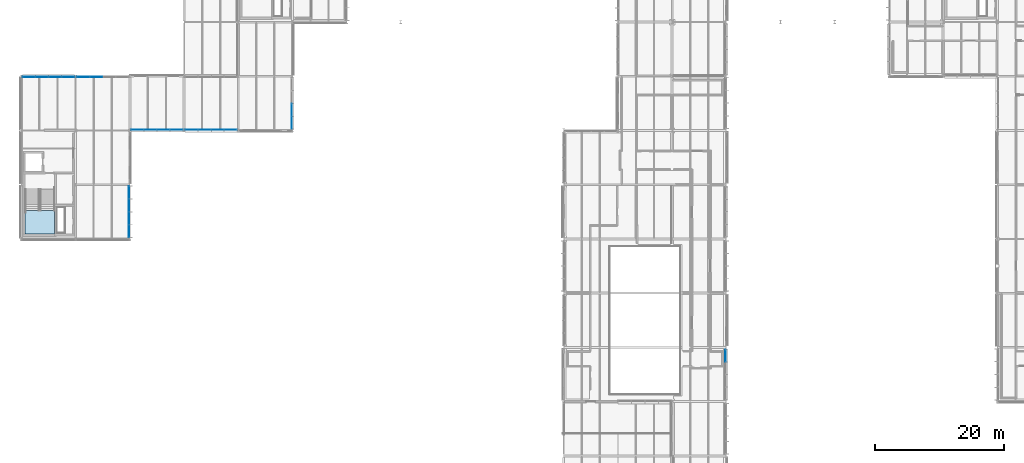
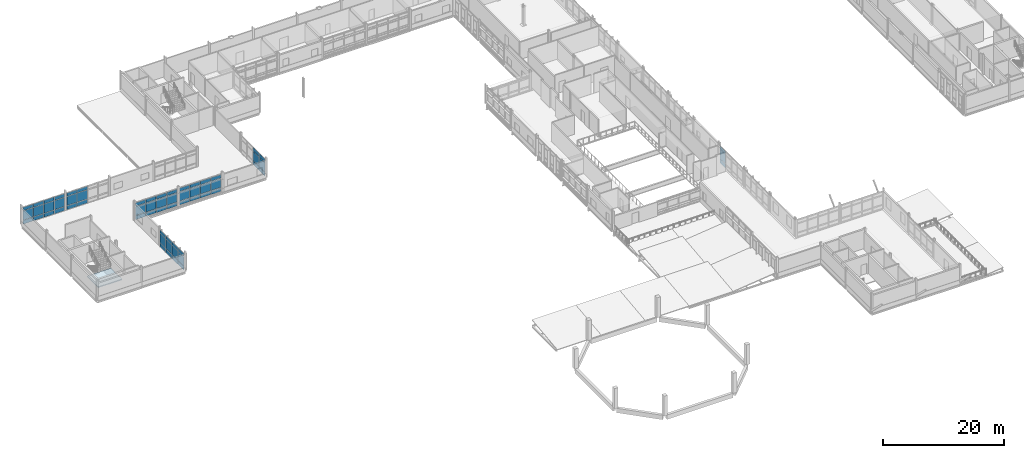
# One storey, part 97 of 131: 63 plates, 1 slab, 8 elements without a shape of their own.
"""IFC4 building model written with IfcOpenShell, lengths in metres."""

import ifcopenshell
import ifcopenshell.guid

model = None  # the IFC model being written
_history = None  # IfcOwnerHistory: only IFC2X3 demands one
_inside = {}  # id of a spatial element -> (the spatial element, [elements in it])
_under = {}  # id of a project, library or spatial element -> (it, [spatial elements below it])
_declared = {}  # id of a project -> (the project, [libraries it declares])
_typed = {}  # id of a type object -> (the type object, [elements of that type])
_made_of = {}  # id of a material, layer set ... -> (it, [elements and type objects made of it])


def new_model(schema):
    """Start an empty IFC model of exactly this schema.

    Asked for "IFC4X3", IfcOpenShell would pick the latest addendum, in which some entities
    have other attributes; the version numbers below select the first issue.
    IFC2X3 requires an IfcOwnerHistory on every rooted entity: one is made here for all.
    """
    global model, _history
    if schema == "IFC4X3":
        model = ifcopenshell.file(schema_version=(4, 3, 0, 0))
    else:
        model = ifcopenshell.file(schema=schema)
    _inside.clear()
    _under.clear()
    _declared.clear()
    _typed.clear()
    _made_of.clear()
    _history = None
    if model.schema == "IFC2X3":
        org = make("IfcOrganization", Name="unknown")
        user = make(
            "IfcPersonAndOrganization",
            ThePerson=make("IfcPerson", FamilyName="unknown"),
            TheOrganization=org,
        )
        app = make(
            "IfcApplication",
            ApplicationDeveloper=org,
            Version="unknown",
            ApplicationFullName="unknown",
            ApplicationIdentifier="unknown",
        )
        _history = make(
            "IfcOwnerHistory",
            OwningUser=user,
            OwningApplication=app,
            ChangeAction="ADDED",
            CreationDate=0,
        )
    return model


def make(cls, **values):
    """One entity of the class cls with the attributes given. An attribute that is None is left unset."""
    return model.create_entity(
        cls, **{name: value for name, value in values.items() if value is not None}
    )


def rooted(cls, **values):
    """An entity with a GlobalId (a new one), such as an element, a storey or a relation."""
    return make(cls, GlobalId=ifcopenshell.guid.new(), OwnerHistory=_history, **values)


def si_unit(unit_type, name, prefix=None):
    """IfcSIUnit, for example si_unit("LENGTHUNIT", "METRE", prefix="MILLI")."""
    return make("IfcSIUnit", UnitType=unit_type, Prefix=prefix, Name=name)


def assignment(units):
    """IfcUnitAssignment: the units of a project."""
    return None if units is None else make("IfcUnitAssignment", Units=units)


def point(xyz):
    """IfcCartesianPoint."""
    return None if xyz is None else make("IfcCartesianPoint", Coordinates=xyz)


def direction(xyz):
    """IfcDirection."""
    return None if xyz is None else make("IfcDirection", DirectionRatios=xyz)


def frame(location, z_axis=None, x_axis=None):
    """IfcAxis2Placement3D, a coordinate frame: its origin and axes. An axis left out is left unset."""
    return make(
        "IfcAxis2Placement3D",
        Location=point(location),
        Axis=direction(z_axis),
        RefDirection=direction(x_axis),
    )


def frame_2d(location, x_axis=None):
    """IfcAxis2Placement2D, a coordinate frame in the plane: its origin and x axis."""
    return make(
        "IfcAxis2Placement2D", Location=point(location), RefDirection=direction(x_axis)
    )


def origin():
    """The frame at (0, 0, 0) with its axes left unset."""
    return frame((0.0, 0.0, 0.0))


def origin_2d():
    """The frame at (0, 0) in the plane with its x axis left unset."""
    return frame_2d((0.0, 0.0))


def place(relative_to, where):
    """IfcLocalPlacement: puts the frame where relative to a parent placement (None: the world)."""
    return make(
        "IfcLocalPlacement", PlacementRelTo=relative_to, RelativePlacement=where
    )


def context(
    kind, dimensions, precision=None, world=None, true_north=None, identifier=None
):
    """IfcGeometricRepresentationContext, for example the 3D "Model" context."""
    return make(
        "IfcGeometricRepresentationContext",
        ContextIdentifier=identifier,
        ContextType=kind,
        CoordinateSpaceDimension=dimensions,
        Precision=precision,
        WorldCoordinateSystem=world,
        TrueNorth=true_north,
    )


def subcontext(parent, identifier, kind, view, scale=None):
    """IfcGeometricRepresentationSubContext, for example "Body" below "Model"."""
    return make(
        "IfcGeometricRepresentationSubContext",
        ContextIdentifier=identifier,
        ContextType=kind,
        ParentContext=parent,
        TargetScale=scale,
        TargetView=view,
    )


def project(units=None, contexts=None):
    """IfcProject with its units and contexts."""
    return rooted(
        "IfcProject",
        Name="project",
        RepresentationContexts=contexts,
        UnitsInContext=assignment(units),
    )


def spatial(cls, under=None, at=None, **own):
    """A site, building, storey or space (cls), placed at a placement, below another one or the project."""
    s = rooted(cls, ObjectPlacement=at, **own)
    if under is not None:
        _under.setdefault(under.id(), (under, []))[1].append(s)
    return s


def polyline(points):
    """IfcPolyline through the points."""
    return make("IfcPolyline", Points=[point(p) for p in points])


def profile(cls, at=None, kind="AREA", **sizes):
    """A parametric profile (cls). Its sizes go by their IFC names, for example OverallWidth=200.0."""
    return make(cls, ProfileType=kind, Position=at, **sizes)


def rectangle(**sizes):
    """IfcRectangleProfileDef."""
    return profile("IfcRectangleProfileDef", **sizes)


def outline(outer, holes=None, kind="AREA"):
    """IfcArbitraryClosedProfileDef: a profile drawn as a closed curve; with holes, ...WithVoids."""
    if holes is None:
        return make("IfcArbitraryClosedProfileDef", ProfileType=kind, OuterCurve=outer)
    return make(
        "IfcArbitraryProfileDefWithVoids",
        ProfileType=kind,
        OuterCurve=outer,
        InnerCurves=holes,
    )


def extrude(swept, where, along, depth):
    """IfcExtrudedAreaSolid: the profile swept, set in the frame where, extruded along a direction by depth."""
    return make(
        "IfcExtrudedAreaSolid",
        SweptArea=swept,
        Position=where,
        ExtrudedDirection=direction(along),
        Depth=depth,
    )


def shape(context_of_items, identifier, shape_type, items):
    """IfcShapeRepresentation: the items that make up one representation, for example the "Body"."""
    return make(
        "IfcShapeRepresentation",
        ContextOfItems=context_of_items,
        RepresentationIdentifier=identifier,
        RepresentationType=shape_type,
        Items=items,
    )


def material(Name=None, Category=None):
    """IfcMaterial."""
    return make("IfcMaterial", Name=Name, Category=Category)


def layer(
    of_material, thickness, ventilated=None, Name=None, Category=None, Priority=None
):
    """IfcMaterialLayer: one layer of a wall or slab, of a material (None: an air gap)."""
    return make(
        "IfcMaterialLayer",
        Material=of_material,
        LayerThickness=thickness,
        IsVentilated=ventilated,
        Name=Name,
        Category=Category,
        Priority=Priority,
    )


def layer_set(layers, Name=None):
    """IfcMaterialLayerSet."""
    return make("IfcMaterialLayerSet", MaterialLayers=layers, LayerSetName=Name)


def made_of(thing, what):
    """Note that an element or type object is made of a material, layer set ...; save() writes the relation."""
    if what is not None:
        _made_of.setdefault(what.id(), (what, []))[1].append(thing)
    return thing


def type_object(cls, material=None, **own):
    """A type object (cls), such as IfcWallType, which elements share."""
    return made_of(rooted(cls, **own), material)


def element(
    cls,
    number,
    at=None,
    inside=None,
    cuts=None,
    type_object=None,
    material=None,
    context=None,
    identifier="Body",
    shape_type=None,
    held_by="IfcProductDefinitionShape",
    body=None,
    shapes=None,
    **own,
):
    """One element of the class cls, such as IfcWall. Its Tag is "e" and its number.

    at: its placement. inside: the storey or other place that contains it. cuts: it is an
    opening in that element (IfcRelVoidsElement). A single representation is given by context,
    identifier, shape_type and body (its items); several are given by shapes. held_by: the class
    of the entity that holds the representations. save() writes the other relations.
    """
    e = rooted(cls, Tag="e%d" % number, ObjectPlacement=at, **own)
    if body is not None:
        shapes = [shape(context, identifier, shape_type, body)]
    if shapes is not None:
        e.Representation = make(held_by, Representations=shapes)
    if inside is not None:
        _inside.setdefault(inside.id(), (inside, []))[1].append(e)
    if cuts is not None:
        rooted(
            "IfcRelVoidsElement", RelatingBuildingElement=cuts, RelatedOpeningElement=e
        )
    if type_object is not None:
        _typed.setdefault(type_object.id(), (type_object, []))[1].append(e)
    return made_of(e, material)


def aggregate(whole, parts):
    """IfcRelAggregates: a whole, such as a stair, and the parts it consists of."""
    return rooted("IfcRelAggregates", RelatingObject=whole, RelatedObjects=parts)


def save(model, path):
    """Write the relations noted so far, then the file.

    IfcRelAggregates (storeys below a building ...), IfcRelContainedInSpatialStructure (elements
    in a storey), IfcRelDefinesByType, IfcRelAssociatesMaterial and IfcRelDeclares: one each for
    every whole, place, type object, material and project.
    """
    for whole, parts in _under.values():
        aggregate(whole, parts)
    for where, things in _inside.values():
        rooted(
            "IfcRelContainedInSpatialStructure",
            RelatedElements=things,
            RelatingStructure=where,
        )
    for kind, things in _typed.values():
        rooted("IfcRelDefinesByType", RelatedObjects=things, RelatingType=kind)
    for what, things in _made_of.values():
        rooted("IfcRelAssociatesMaterial", RelatedObjects=things, RelatingMaterial=what)
    for by, libraries in _declared.values():
        rooted("IfcRelDeclares", RelatingContext=by, RelatedDefinitions=libraries)
    model.write(path)


model = new_model("IFC4")

# Units and contexts
model_context = context("Model", 3, precision=1e-05, world=origin(), true_north=direction((0.0, 1.0)))
body_context = subcontext(model_context, "Body", "Model", "MODEL_VIEW")
ifc_project = project(units=[si_unit("LENGTHUNIT", "METRE"), si_unit("AREAUNIT", "SQUARE_METRE"), si_unit("VOLUMEUNIT", "CUBIC_METRE"), si_unit("PLANEANGLEUNIT", "RADIAN"), si_unit("MASSUNIT", "GRAM", prefix="KILO")], contexts=[model_context])

# Site, building, storey
site_placement = place(None, origin())
site = spatial("IfcSite", under=ifc_project, at=site_placement, CompositionType="ELEMENT")
building_placement = place(site_placement, origin())
building = spatial("IfcBuilding", under=site, at=building_placement, Name="Mersafa Astral City Hall", CompositionType="ELEMENT")
storey_placement = place(building_placement, frame((0.0, 0.0, 13.949951171875)))
storey = spatial("IfcBuildingStorey", under=building, at=storey_placement, Name="L03", CompositionType="ELEMENT", Elevation=13.949951171875)

# Curtain wall, plates
ifc_material_1 = material(Name="Anodised bronze aluminium framing", Category="aluminium")
curtain_wall_type_1 = type_object("IfcCurtainWallType", Name="ENV-CW-5", PredefinedType="USERDEFINED", material=ifc_material_1)
curtain_wall_1_placement = place(storey_placement, origin())
curtain_wall_1 = element("IfcCurtainWall", 1, at=curtain_wall_1_placement, inside=storey, type_object=curtain_wall_type_1, Name="L03 Unitised solar curtain wall 172", ObjectType="UNITISED CURTAIN WALL", PredefinedType="USERDEFINED")
ifc_material_2 = material(Name="Solar control low-e double glazing", Category="glass")
ifc_layer_1 = layer(ifc_material_2, 0.028076171875, Name="Solar control low-e double glazing")
ifc_layer_set_1 = layer_set([ifc_layer_1], Name="Solar control low-e double glazing — ENV-CW-PNL-GLZ-1")
plate_type_1 = type_object("IfcPlateType", Name="ENV-CW-PNL-GLZ-1", PredefinedType="CURTAIN_PANEL", material=ifc_layer_set_1)
plate_1_placement = place(storey_placement, frame((19.990478515625, 100.679931640625, 0.05810546875), z_axis=(0.0, 0.0, 1.0), x_axis=(-1.0, 0.0, 0.0)))
plate_1 = element("IfcPlate", 2, at=plate_1_placement, type_object=plate_type_1, Name="CW-5 panel 3.1", PredefinedType="CURTAIN_PANEL", context=body_context, shape_type="SweptSolid", body=[
    extrude(rectangle(XDim=1.958984375, YDim=0.028076171875, at=origin_2d()), origin(), (0.0, 0.0, 1.0), 0.761962890625),
])
plate_2_placement = place(storey_placement, frame((19.990478515625, 100.679931640625, 0.8798828125), z_axis=(0.0, 0.0, 1.0), x_axis=(-1.0, 0.0, 0.0)))
plate_2 = element("IfcPlate", 3, at=plate_2_placement, type_object=plate_type_1, Name="CW-5 panel 3.2", PredefinedType="CURTAIN_PANEL", context=body_context, shape_type="SweptSolid", body=[
    extrude(rectangle(XDim=1.958984375, YDim=0.028076171875, at=origin_2d()), origin(), (0.0, 0.0, 1.0), 1.840087890625),
])
plate_3_placement = place(storey_placement, frame((19.990478515625, 100.679931640625, 2.780029296875), z_axis=(0.0, 0.0, 1.0), x_axis=(-1.0, 0.0, 0.0)))
plate_3 = element("IfcPlate", 4, at=plate_3_placement, type_object=plate_type_1, Name="CW-5 panel 3.3", PredefinedType="CURTAIN_PANEL", context=body_context, shape_type="SweptSolid", body=[
    extrude(rectangle(XDim=1.958984375, YDim=0.028076171875, at=origin_2d()), origin(), (0.0, 0.0, 1.0), 0.662109375),
])
plate_4_placement = place(storey_placement, frame((17.986572265625, 100.679931640625, 0.05810546875), z_axis=(0.0, 0.0, 1.0), x_axis=(-1.0, 0.0, 0.0)))
plate_4 = element("IfcPlate", 5, at=plate_4_placement, type_object=plate_type_1, Name="CW-5 panel 4.1", PredefinedType="CURTAIN_PANEL", context=body_context, shape_type="SweptSolid", body=[
    extrude(rectangle(XDim=1.928955078125, YDim=0.028076171875, at=origin_2d()), origin(), (0.0, 0.0, 1.0), 0.761962890625),
])
plate_5_placement = place(storey_placement, frame((17.986572265625, 100.679931640625, 0.8798828125), z_axis=(0.0, 0.0, 1.0), x_axis=(-1.0, 0.0, 0.0)))
plate_5 = element("IfcPlate", 6, at=plate_5_placement, type_object=plate_type_1, Name="CW-5 panel 4.2", PredefinedType="CURTAIN_PANEL", context=body_context, shape_type="SweptSolid", body=[
    extrude(rectangle(XDim=1.928955078125, YDim=0.028076171875, at=origin_2d()), origin(), (0.0, 0.0, 1.0), 1.840087890625),
])
plate_6_placement = place(storey_placement, frame((17.986572265625, 100.679931640625, 2.780029296875), z_axis=(0.0, 0.0, 1.0), x_axis=(-1.0, 0.0, 0.0)))
plate_6 = element("IfcPlate", 7, at=plate_6_placement, type_object=plate_type_1, Name="CW-5 panel 4.3", PredefinedType="CURTAIN_PANEL", context=body_context, shape_type="SweptSolid", body=[
    extrude(rectangle(XDim=1.928955078125, YDim=0.028076171875, at=origin_2d()), origin(), (0.0, 0.0, 1.0), 0.662109375),
])
aggregate(curtain_wall_1, [plate_1, plate_2, plate_3, plate_4, plate_5, plate_6])

curtain_wall_type_2 = type_object("IfcCurtainWallType", Name="ENV-CW-3", PredefinedType="USERDEFINED", material=ifc_material_1)
curtain_wall_2_placement = place(storey_placement, origin())
curtain_wall_2 = element("IfcCurtainWall", 8, at=curtain_wall_2_placement, inside=storey, type_object=curtain_wall_type_2, Name="L03 Unitised solar curtain wall 176", ObjectType="UNITISED CURTAIN WALL", PredefinedType="USERDEFINED")
plate_7_placement = place(storey_placement, frame((34.78662109375, 92.52001953125, 0.05810546875), z_axis=(0.0, 0.0, 1.0), x_axis=(1.0, 0.0, 0.0)))
plate_7 = element("IfcPlate", 9, at=plate_7_placement, type_object=plate_type_1, Name="CW-3 panel 1.1", PredefinedType="CURTAIN_PANEL", context=body_context, shape_type="SweptSolid", body=[
    extrude(rectangle(XDim=1.928955078125, YDim=0.028076171875, at=origin_2d()), origin(), (0.0, 0.0, 1.0), 0.761962890625),
])
plate_8_placement = place(storey_placement, frame((34.78662109375, 92.52001953125, 0.8798828125), z_axis=(0.0, 0.0, 1.0), x_axis=(1.0, 0.0, 0.0)))
plate_8 = element("IfcPlate", 10, at=plate_8_placement, type_object=plate_type_1, Name="CW-3 panel 1.2", PredefinedType="CURTAIN_PANEL", context=body_context, shape_type="SweptSolid", body=[
    extrude(rectangle(XDim=1.928955078125, YDim=0.028076171875, at=origin_2d()), origin(), (0.0, 0.0, 1.0), 1.840087890625),
])
plate_9_placement = place(storey_placement, frame((34.78662109375, 92.52001953125, 2.780029296875), z_axis=(0.0, 0.0, 1.0), x_axis=(1.0, 0.0, 0.0)))
plate_9 = element("IfcPlate", 11, at=plate_9_placement, type_object=plate_type_1, Name="CW-3 panel 1.3", PredefinedType="CURTAIN_PANEL", context=body_context, shape_type="SweptSolid", body=[
    extrude(rectangle(XDim=1.928955078125, YDim=0.028076171875, at=origin_2d()), origin(), (0.0, 0.0, 1.0), 0.69189453125),
])
plate_10_placement = place(storey_placement, frame((36.79052734375, 92.52001953125, 0.05810546875), z_axis=(0.0, 0.0, 1.0), x_axis=(1.0, 0.0, 0.0)))
plate_10 = element("IfcPlate", 12, at=plate_10_placement, type_object=plate_type_1, Name="CW-3 panel 2.1", PredefinedType="CURTAIN_PANEL", context=body_context, shape_type="SweptSolid", body=[
    extrude(rectangle(XDim=1.958984375, YDim=0.028076171875, at=origin_2d()), origin(), (0.0, 0.0, 1.0), 0.761962890625),
])
plate_11_placement = place(storey_placement, frame((36.79052734375, 92.52001953125, 0.8798828125), z_axis=(0.0, 0.0, 1.0), x_axis=(1.0, 0.0, 0.0)))
plate_11 = element("IfcPlate", 13, at=plate_11_placement, type_object=plate_type_1, Name="CW-3 panel 2.2", PredefinedType="CURTAIN_PANEL", context=body_context, shape_type="SweptSolid", body=[
    extrude(rectangle(XDim=1.958984375, YDim=0.028076171875, at=origin_2d()), origin(), (0.0, 0.0, 1.0), 1.840087890625),
])
plate_12_placement = place(storey_placement, frame((36.79052734375, 92.52001953125, 2.780029296875), z_axis=(0.0, 0.0, 1.0), x_axis=(1.0, 0.0, 0.0)))
plate_12 = element("IfcPlate", 14, at=plate_12_placement, type_object=plate_type_1, Name="CW-3 panel 2.3", PredefinedType="CURTAIN_PANEL", context=body_context, shape_type="SweptSolid", body=[
    extrude(rectangle(XDim=1.958984375, YDim=0.028076171875, at=origin_2d()), origin(), (0.0, 0.0, 1.0), 0.69189453125),
])
plate_13_placement = place(storey_placement, frame((38.8095703125, 92.52001953125, 0.05810546875), z_axis=(0.0, 0.0, 1.0), x_axis=(1.0, 0.0, 0.0)))
plate_13 = element("IfcPlate", 15, at=plate_13_placement, type_object=plate_type_1, Name="CW-3 panel 3.1", PredefinedType="CURTAIN_PANEL", context=body_context, shape_type="SweptSolid", body=[
    extrude(rectangle(XDim=1.958984375, YDim=0.028076171875, at=origin_2d()), origin(), (0.0, 0.0, 1.0), 0.761962890625),
])
plate_14_placement = place(storey_placement, frame((38.8095703125, 92.52001953125, 0.8798828125), z_axis=(0.0, 0.0, 1.0), x_axis=(1.0, 0.0, 0.0)))
plate_14 = element("IfcPlate", 16, at=plate_14_placement, type_object=plate_type_1, Name="CW-3 panel 3.2", PredefinedType="CURTAIN_PANEL", context=body_context, shape_type="SweptSolid", body=[
    extrude(rectangle(XDim=1.958984375, YDim=0.028076171875, at=origin_2d()), origin(), (0.0, 0.0, 1.0), 1.840087890625),
])
plate_15_placement = place(storey_placement, frame((38.8095703125, 92.52001953125, 2.780029296875), z_axis=(0.0, 0.0, 1.0), x_axis=(1.0, 0.0, 0.0)))
plate_15 = element("IfcPlate", 17, at=plate_15_placement, type_object=plate_type_1, Name="CW-3 panel 3.3", PredefinedType="CURTAIN_PANEL", context=body_context, shape_type="SweptSolid", body=[
    extrude(rectangle(XDim=1.958984375, YDim=0.028076171875, at=origin_2d()), origin(), (0.0, 0.0, 1.0), 0.69189453125),
])
plate_16_placement = place(storey_placement, frame((40.8134765625, 92.52001953125, 0.05810546875), z_axis=(0.0, 0.0, 1.0), x_axis=(1.0, 0.0, 0.0)))
plate_16 = element("IfcPlate", 18, at=plate_16_placement, type_object=plate_type_1, Name="CW-3 panel 4.1", PredefinedType="CURTAIN_PANEL", context=body_context, shape_type="SweptSolid", body=[
    extrude(rectangle(XDim=1.928955078125, YDim=0.028076171875, at=origin_2d()), origin(), (0.0, 0.0, 1.0), 0.761962890625),
])
plate_17_placement = place(storey_placement, frame((40.8134765625, 92.52001953125, 0.8798828125), z_axis=(0.0, 0.0, 1.0), x_axis=(1.0, 0.0, 0.0)))
plate_17 = element("IfcPlate", 19, at=plate_17_placement, type_object=plate_type_1, Name="CW-3 panel 4.2", PredefinedType="CURTAIN_PANEL", context=body_context, shape_type="SweptSolid", body=[
    extrude(rectangle(XDim=1.928955078125, YDim=0.028076171875, at=origin_2d()), origin(), (0.0, 0.0, 1.0), 1.840087890625),
])
plate_18_placement = place(storey_placement, frame((40.8134765625, 92.52001953125, 2.780029296875), z_axis=(0.0, 0.0, 1.0), x_axis=(1.0, 0.0, 0.0)))
plate_18 = element("IfcPlate", 20, at=plate_18_placement, type_object=plate_type_1, Name="CW-3 panel 4.3", PredefinedType="CURTAIN_PANEL", context=body_context, shape_type="SweptSolid", body=[
    extrude(rectangle(XDim=1.928955078125, YDim=0.028076171875, at=origin_2d()), origin(), (0.0, 0.0, 1.0), 0.69189453125),
])
aggregate(curtain_wall_2, [plate_7, plate_8, plate_9, plate_10, plate_11, plate_12, plate_13, plate_14, plate_15, plate_16, plate_17, plate_18])

curtain_wall_type_3 = type_object("IfcCurtainWallType", Name="ENV-CW-4", PredefinedType="USERDEFINED", material=ifc_material_1)
curtain_wall_3_placement = place(storey_placement, origin())
curtain_wall_3 = element("IfcCurtainWall", 21, at=curtain_wall_3_placement, inside=storey, type_object=curtain_wall_type_3, Name="L03 Unitised solar curtain wall 153", ObjectType="UNITISED CURTAIN WALL", PredefinedType="USERDEFINED")
ifc_layer_2 = layer(ifc_material_2, 0.031982421875, Name="Solar control low-e double glazing")
ifc_layer_set_2 = layer_set([ifc_layer_2], Name="Solar control low-e double glazing — ENV-CW-PNL-GLZ-2")
plate_type_2 = type_object("IfcPlateType", Name="ENV-CW-PNL-GLZ-2", PredefinedType="CURTAIN_PANEL", material=ifc_layer_set_2)
plate_19_placement = place(storey_placement, frame((117.47998046875, 57.519775390625, 0.05810546875), z_axis=(0.0, 0.0, 1.0), x_axis=(0.0, 1.0, 0.0)))
plate_19 = element("IfcPlate", 22, at=plate_19_placement, type_object=plate_type_2, Name="CW-4 panel 4.1", PredefinedType="CURTAIN_PANEL", context=body_context, shape_type="SweptSolid", body=[
    extrude(rectangle(XDim=1.866455078125, YDim=0.031982421875, at=origin_2d()), origin(), (0.0, 0.0, 1.0), 0.761962890625),
])
plate_20_placement = place(storey_placement, frame((117.47998046875, 57.519775390625, 0.8798828125), z_axis=(0.0, 0.0, 1.0), x_axis=(0.0, 1.0, 0.0)))
plate_20 = element("IfcPlate", 23, at=plate_20_placement, type_object=plate_type_2, Name="CW-4 panel 4.2", PredefinedType="CURTAIN_PANEL", context=body_context, shape_type="SweptSolid", body=[
    extrude(rectangle(XDim=1.866455078125, YDim=0.031982421875, at=origin_2d()), origin(), (0.0, 0.0, 1.0), 1.840087890625),
])
plate_21_placement = place(storey_placement, frame((117.47998046875, 57.519775390625, 2.780029296875), z_axis=(0.0, 0.0, 1.0), x_axis=(0.0, 1.0, 0.0)))
plate_21 = element("IfcPlate", 24, at=plate_21_placement, type_object=plate_type_2, Name="CW-4 panel 4.3", PredefinedType="CURTAIN_PANEL", context=body_context, shape_type="SweptSolid", body=[
    extrude(rectangle(XDim=1.866455078125, YDim=0.031982421875, at=origin_2d()), origin(), (0.0, 0.0, 1.0), 0.64697265625),
])
aggregate(curtain_wall_3, [plate_19, plate_20, plate_21])

curtain_wall_type_4 = type_object("IfcCurtainWallType", Name="ENV-CW-6", PredefinedType="USERDEFINED", material=ifc_material_1)
curtain_wall_4_placement = place(storey_placement, origin())
curtain_wall_4 = element("IfcCurtainWall", 25, at=curtain_wall_4_placement, inside=storey, type_object=curtain_wall_type_4, Name="L03 Unitised solar curtain wall 173", ObjectType="UNITISED CURTAIN WALL", PredefinedType="USERDEFINED")
plate_22_placement = place(storey_placement, frame((15.613525390625, 100.679931640625, 0.05810546875), z_axis=(0.0, 0.0, 1.0), x_axis=(-1.0, 0.0, 0.0)))
plate_22 = element("IfcPlate", 26, at=plate_22_placement, type_object=plate_type_2, Name="CW-6 panel 1.1", PredefinedType="CURTAIN_PANEL", context=body_context, shape_type="SweptSolid", body=[
    extrude(rectangle(XDim=1.928955078125, YDim=0.031982421875, at=origin_2d()), origin(), (0.0, 0.0, 1.0), 0.761962890625),
])
plate_23_placement = place(storey_placement, frame((15.613525390625, 100.679931640625, 0.8798828125), z_axis=(0.0, 0.0, 1.0), x_axis=(-1.0, 0.0, 0.0)))
plate_23 = element("IfcPlate", 27, at=plate_23_placement, type_object=plate_type_2, Name="CW-6 panel 1.2", PredefinedType="CURTAIN_PANEL", context=body_context, shape_type="SweptSolid", body=[
    extrude(rectangle(XDim=1.928955078125, YDim=0.031982421875, at=origin_2d()), origin(), (0.0, 0.0, 1.0), 1.840087890625),
])
plate_24_placement = place(storey_placement, frame((15.613525390625, 100.679931640625, 2.780029296875), z_axis=(0.0, 0.0, 1.0), x_axis=(-1.0, 0.0, 0.0)))
plate_24 = element("IfcPlate", 28, at=plate_24_placement, type_object=plate_type_2, Name="CW-6 panel 1.3", PredefinedType="CURTAIN_PANEL", context=body_context, shape_type="SweptSolid", body=[
    extrude(rectangle(XDim=1.928955078125, YDim=0.031982421875, at=origin_2d()), origin(), (0.0, 0.0, 1.0), 0.69189453125),
])
plate_25_placement = place(storey_placement, frame((13.609619140625, 100.679931640625, 0.05810546875), z_axis=(0.0, 0.0, 1.0), x_axis=(-1.0, 0.0, 0.0)))
plate_25 = element("IfcPlate", 29, at=plate_25_placement, type_object=plate_type_2, Name="CW-6 panel 2.1", PredefinedType="CURTAIN_PANEL", context=body_context, shape_type="SweptSolid", body=[
    extrude(rectangle(XDim=1.958984375, YDim=0.031982421875, at=origin_2d()), origin(), (0.0, 0.0, 1.0), 0.761962890625),
])
plate_26_placement = place(storey_placement, frame((13.609619140625, 100.679931640625, 0.8798828125), z_axis=(0.0, 0.0, 1.0), x_axis=(-1.0, 0.0, 0.0)))
plate_26 = element("IfcPlate", 30, at=plate_26_placement, type_object=plate_type_2, Name="CW-6 panel 2.2", PredefinedType="CURTAIN_PANEL", context=body_context, shape_type="SweptSolid", body=[
    extrude(rectangle(XDim=1.958984375, YDim=0.031982421875, at=origin_2d()), origin(), (0.0, 0.0, 1.0), 1.840087890625),
])
plate_27_placement = place(storey_placement, frame((13.609619140625, 100.679931640625, 2.780029296875), z_axis=(0.0, 0.0, 1.0), x_axis=(-1.0, 0.0, 0.0)))
plate_27 = element("IfcPlate", 31, at=plate_27_placement, type_object=plate_type_2, Name="CW-6 panel 2.3", PredefinedType="CURTAIN_PANEL", context=body_context, shape_type="SweptSolid", body=[
    extrude(rectangle(XDim=1.958984375, YDim=0.031982421875, at=origin_2d()), origin(), (0.0, 0.0, 1.0), 0.69189453125),
])
plate_28_placement = place(storey_placement, frame((11.590576171875, 100.679931640625, 0.05810546875), z_axis=(0.0, 0.0, 1.0), x_axis=(-1.0, 0.0, 0.0)))
plate_28 = element("IfcPlate", 32, at=plate_28_placement, type_object=plate_type_2, Name="CW-6 panel 3.1", PredefinedType="CURTAIN_PANEL", context=body_context, shape_type="SweptSolid", body=[
    extrude(rectangle(XDim=1.958984375, YDim=0.031982421875, at=origin_2d()), origin(), (0.0, 0.0, 1.0), 0.761962890625),
])
plate_29_placement = place(storey_placement, frame((11.590576171875, 100.679931640625, 0.8798828125), z_axis=(0.0, 0.0, 1.0), x_axis=(-1.0, 0.0, 0.0)))
plate_29 = element("IfcPlate", 33, at=plate_29_placement, type_object=plate_type_2, Name="CW-6 panel 3.2", PredefinedType="CURTAIN_PANEL", context=body_context, shape_type="SweptSolid", body=[
    extrude(rectangle(XDim=1.958984375, YDim=0.031982421875, at=origin_2d()), origin(), (0.0, 0.0, 1.0), 1.840087890625),
])
plate_30_placement = place(storey_placement, frame((11.590576171875, 100.679931640625, 2.780029296875), z_axis=(0.0, 0.0, 1.0), x_axis=(-1.0, 0.0, 0.0)))
plate_30 = element("IfcPlate", 34, at=plate_30_placement, type_object=plate_type_2, Name="CW-6 panel 3.3", PredefinedType="CURTAIN_PANEL", context=body_context, shape_type="SweptSolid", body=[
    extrude(rectangle(XDim=1.958984375, YDim=0.031982421875, at=origin_2d()), origin(), (0.0, 0.0, 1.0), 0.69189453125),
])
plate_31_placement = place(storey_placement, frame((9.58642578125, 100.679931640625, 0.05810546875), z_axis=(0.0, 0.0, 1.0), x_axis=(-1.0, 0.0, 0.0)))
plate_31 = element("IfcPlate", 35, at=plate_31_placement, type_object=plate_type_2, Name="CW-6 panel 4.1", PredefinedType="CURTAIN_PANEL", context=body_context, shape_type="SweptSolid", body=[
    extrude(rectangle(XDim=1.928955078125, YDim=0.031982421875, at=origin_2d()), origin(), (0.0, 0.0, 1.0), 0.761962890625),
])
plate_32_placement = place(storey_placement, frame((9.58642578125, 100.679931640625, 0.8798828125), z_axis=(0.0, 0.0, 1.0), x_axis=(-1.0, 0.0, 0.0)))
plate_32 = element("IfcPlate", 36, at=plate_32_placement, type_object=plate_type_2, Name="CW-6 panel 4.2", PredefinedType="CURTAIN_PANEL", context=body_context, shape_type="SweptSolid", body=[
    extrude(rectangle(XDim=1.928955078125, YDim=0.031982421875, at=origin_2d()), origin(), (0.0, 0.0, 1.0), 1.840087890625),
])
plate_33_placement = place(storey_placement, frame((9.58642578125, 100.679931640625, 2.780029296875), z_axis=(0.0, 0.0, 1.0), x_axis=(-1.0, 0.0, 0.0)))
plate_33 = element("IfcPlate", 37, at=plate_33_placement, type_object=plate_type_2, Name="CW-6 panel 4.3", PredefinedType="CURTAIN_PANEL", context=body_context, shape_type="SweptSolid", body=[
    extrude(rectangle(XDim=1.928955078125, YDim=0.031982421875, at=origin_2d()), origin(), (0.0, 0.0, 1.0), 0.69189453125),
])
aggregate(curtain_wall_4, [plate_22, plate_23, plate_24, plate_25, plate_26, plate_27, plate_28, plate_29, plate_30, plate_31, plate_32, plate_33])

curtain_wall_5_placement = place(storey_placement, origin())
curtain_wall_5 = element("IfcCurtainWall", 38, at=curtain_wall_5_placement, inside=storey, type_object=curtain_wall_type_3, Name="L03 Unitised solar curtain wall 177", ObjectType="UNITISED CURTAIN WALL", PredefinedType="USERDEFINED")
plate_34_placement = place(storey_placement, frame((50.280029296875, 93.600341796875, 0.05810546875), z_axis=(0.0, 0.0, 1.0), x_axis=(0.0, 1.0, 0.0)))
plate_34 = element("IfcPlate", 39, at=plate_34_placement, type_object=plate_type_2, Name="CW-4 panel 1.1", PredefinedType="CURTAIN_PANEL", context=body_context, shape_type="SweptSolid", body=[
    extrude(rectangle(XDim=1.91650390625, YDim=0.031982421875, at=origin_2d()), origin(), (0.0, 0.0, 1.0), 0.761962890625),
])
plate_35_placement = place(storey_placement, frame((50.280029296875, 93.600341796875, 0.8798828125), z_axis=(0.0, 0.0, 1.0), x_axis=(0.0, 1.0, 0.0)))
plate_35 = element("IfcPlate", 40, at=plate_35_placement, type_object=plate_type_2, Name="CW-4 panel 1.2", PredefinedType="CURTAIN_PANEL", context=body_context, shape_type="SweptSolid", body=[
    extrude(rectangle(XDim=1.91650390625, YDim=0.031982421875, at=origin_2d()), origin(), (0.0, 0.0, 1.0), 1.840087890625),
])
plate_36_placement = place(storey_placement, frame((50.280029296875, 93.600341796875, 2.780029296875), z_axis=(0.0, 0.0, 1.0), x_axis=(0.0, 1.0, 0.0)))
plate_36 = element("IfcPlate", 41, at=plate_36_placement, type_object=plate_type_2, Name="CW-4 panel 1.3", PredefinedType="CURTAIN_PANEL", context=body_context, shape_type="SweptSolid", body=[
    extrude(rectangle(XDim=1.91650390625, YDim=0.031982421875, at=origin_2d()), origin(), (0.0, 0.0, 1.0), 0.751953125),
])
plate_37_placement = place(storey_placement, frame((50.280029296875, 95.591796875, 0.05810546875), z_axis=(0.0, 0.0, 1.0), x_axis=(0.0, 1.0, 0.0)))
plate_37 = element("IfcPlate", 42, at=plate_37_placement, type_object=plate_type_2, Name="CW-4 panel 2.1", PredefinedType="CURTAIN_PANEL", context=body_context, shape_type="SweptSolid", body=[
    extrude(rectangle(XDim=1.946533203125, YDim=0.031982421875, at=origin_2d()), origin(), (0.0, 0.0, 1.0), 0.761962890625),
])
plate_38_placement = place(storey_placement, frame((50.280029296875, 95.591796875, 0.8798828125), z_axis=(0.0, 0.0, 1.0), x_axis=(0.0, 1.0, 0.0)))
plate_38 = element("IfcPlate", 43, at=plate_38_placement, type_object=plate_type_2, Name="CW-4 panel 2.2", PredefinedType="CURTAIN_PANEL", context=body_context, shape_type="SweptSolid", body=[
    extrude(rectangle(XDim=1.946533203125, YDim=0.031982421875, at=origin_2d()), origin(), (0.0, 0.0, 1.0), 1.840087890625),
])
plate_39_placement = place(storey_placement, frame((50.280029296875, 95.591796875, 2.780029296875), z_axis=(0.0, 0.0, 1.0), x_axis=(0.0, 1.0, 0.0)))
plate_39 = element("IfcPlate", 44, at=plate_39_placement, type_object=plate_type_2, Name="CW-4 panel 2.3", PredefinedType="CURTAIN_PANEL", context=body_context, shape_type="SweptSolid", body=[
    extrude(rectangle(XDim=1.946533203125, YDim=0.031982421875, at=origin_2d()), origin(), (0.0, 0.0, 1.0), 0.751953125),
])
aggregate(curtain_wall_5, [plate_34, plate_35, plate_36, plate_37, plate_38, plate_39])

curtain_wall_type_5 = type_object("IfcCurtainWallType", Name="ENV-CW-1", PredefinedType="USERDEFINED", material=ifc_material_1)
curtain_wall_6_placement = place(storey_placement, origin())
curtain_wall_6 = element("IfcCurtainWall", 45, at=curtain_wall_6_placement, inside=storey, type_object=curtain_wall_type_5, Name="L03 Unitised solar curtain wall 174", ObjectType="UNITISED CURTAIN WALL", PredefinedType="USERDEFINED")
ifc_layer_3 = layer(ifc_material_2, 0.035888671875, Name="Solar control low-e double glazing")
ifc_layer_set_3 = layer_set([ifc_layer_3], Name="Solar control low-e double glazing — ENV-CW-PNL-GLZ-3")
plate_type_3 = type_object("IfcPlateType", Name="ENV-CW-PNL-GLZ-3", PredefinedType="CURTAIN_PANEL", material=ifc_layer_set_3)
plate_40_placement = place(storey_placement, frame((25.080078125, 76.810302734375, 0.05810546875), z_axis=(0.0, 0.0, 1.0), x_axis=(0.0, 1.0, 0.0)))
plate_40 = element("IfcPlate", 46, at=plate_40_placement, type_object=plate_type_3, Name="CW-1 panel 1.1", PredefinedType="CURTAIN_PANEL", context=body_context, shape_type="SweptSolid", body=[
    extrude(rectangle(XDim=1.91650390625, YDim=0.035888671875, at=origin_2d()), origin(), (0.0, 0.0, 1.0), 0.761962890625),
])
plate_41_placement = place(storey_placement, frame((25.080078125, 76.810302734375, 0.8798828125), z_axis=(0.0, 0.0, 1.0), x_axis=(0.0, 1.0, 0.0)))
plate_41 = element("IfcPlate", 47, at=plate_41_placement, type_object=plate_type_3, Name="CW-1 panel 1.2", PredefinedType="CURTAIN_PANEL", context=body_context, shape_type="SweptSolid", body=[
    extrude(rectangle(XDim=1.91650390625, YDim=0.035888671875, at=origin_2d()), origin(), (0.0, 0.0, 1.0), 1.840087890625),
])
plate_42_placement = place(storey_placement, frame((25.080078125, 76.810302734375, 2.780029296875), z_axis=(0.0, 0.0, 1.0), x_axis=(0.0, 1.0, 0.0)))
plate_42 = element("IfcPlate", 48, at=plate_42_placement, type_object=plate_type_3, Name="CW-1 panel 1.3", PredefinedType="CURTAIN_PANEL", context=body_context, shape_type="SweptSolid", body=[
    extrude(rectangle(XDim=1.91650390625, YDim=0.035888671875, at=origin_2d()), origin(), (0.0, 0.0, 1.0), 0.662109375),
])
plate_43_placement = place(storey_placement, frame((25.080078125, 78.8017578125, 0.05810546875), z_axis=(0.0, 0.0, 1.0), x_axis=(0.0, 1.0, 0.0)))
plate_43 = element("IfcPlate", 49, at=plate_43_placement, type_object=plate_type_3, Name="CW-1 panel 2.1", PredefinedType="CURTAIN_PANEL", context=body_context, shape_type="SweptSolid", body=[
    extrude(rectangle(XDim=1.946533203125, YDim=0.035888671875, at=origin_2d()), origin(), (0.0, 0.0, 1.0), 0.761962890625),
])
plate_44_placement = place(storey_placement, frame((25.080078125, 78.8017578125, 0.8798828125), z_axis=(0.0, 0.0, 1.0), x_axis=(0.0, 1.0, 0.0)))
plate_44 = element("IfcPlate", 50, at=plate_44_placement, type_object=plate_type_3, Name="CW-1 panel 2.2", PredefinedType="CURTAIN_PANEL", context=body_context, shape_type="SweptSolid", body=[
    extrude(rectangle(XDim=1.946533203125, YDim=0.035888671875, at=origin_2d()), origin(), (0.0, 0.0, 1.0), 1.840087890625),
])
plate_45_placement = place(storey_placement, frame((25.080078125, 78.8017578125, 2.780029296875), z_axis=(0.0, 0.0, 1.0), x_axis=(0.0, 1.0, 0.0)))
plate_45 = element("IfcPlate", 51, at=plate_45_placement, type_object=plate_type_3, Name="CW-1 panel 2.3", PredefinedType="CURTAIN_PANEL", context=body_context, shape_type="SweptSolid", body=[
    extrude(rectangle(XDim=1.946533203125, YDim=0.035888671875, at=origin_2d()), origin(), (0.0, 0.0, 1.0), 0.662109375),
])
plate_46_placement = place(storey_placement, frame((25.080078125, 80.808349609375, 0.05810546875), z_axis=(0.0, 0.0, 1.0), x_axis=(0.0, 1.0, 0.0)))
plate_46 = element("IfcPlate", 52, at=plate_46_placement, type_object=plate_type_3, Name="CW-1 panel 3.1", PredefinedType="CURTAIN_PANEL", context=body_context, shape_type="SweptSolid", body=[
    extrude(rectangle(XDim=1.946533203125, YDim=0.035888671875, at=origin_2d()), origin(), (0.0, 0.0, 1.0), 0.761962890625),
])
plate_47_placement = place(storey_placement, frame((25.080078125, 80.808349609375, 0.8798828125), z_axis=(0.0, 0.0, 1.0), x_axis=(0.0, 1.0, 0.0)))
plate_47 = element("IfcPlate", 53, at=plate_47_placement, type_object=plate_type_3, Name="CW-1 panel 3.2", PredefinedType="CURTAIN_PANEL", context=body_context, shape_type="SweptSolid", body=[
    extrude(rectangle(XDim=1.946533203125, YDim=0.035888671875, at=origin_2d()), origin(), (0.0, 0.0, 1.0), 1.840087890625),
])
plate_48_placement = place(storey_placement, frame((25.080078125, 80.808349609375, 2.780029296875), z_axis=(0.0, 0.0, 1.0), x_axis=(0.0, 1.0, 0.0)))
plate_48 = element("IfcPlate", 54, at=plate_48_placement, type_object=plate_type_3, Name="CW-1 panel 3.3", PredefinedType="CURTAIN_PANEL", context=body_context, shape_type="SweptSolid", body=[
    extrude(rectangle(XDim=1.946533203125, YDim=0.035888671875, at=origin_2d()), origin(), (0.0, 0.0, 1.0), 0.662109375),
])
plate_49_placement = place(storey_placement, frame((25.080078125, 82.7998046875, 0.05810546875), z_axis=(0.0, 0.0, 1.0), x_axis=(0.0, 1.0, 0.0)))
plate_49 = element("IfcPlate", 55, at=plate_49_placement, type_object=plate_type_3, Name="CW-1 panel 4.1", PredefinedType="CURTAIN_PANEL", context=body_context, shape_type="SweptSolid", body=[
    extrude(rectangle(XDim=1.91650390625, YDim=0.035888671875, at=origin_2d()), origin(), (0.0, 0.0, 1.0), 0.761962890625),
])
plate_50_placement = place(storey_placement, frame((25.080078125, 82.7998046875, 0.8798828125), z_axis=(0.0, 0.0, 1.0), x_axis=(0.0, 1.0, 0.0)))
plate_50 = element("IfcPlate", 56, at=plate_50_placement, type_object=plate_type_3, Name="CW-1 panel 4.2", PredefinedType="CURTAIN_PANEL", context=body_context, shape_type="SweptSolid", body=[
    extrude(rectangle(XDim=1.91650390625, YDim=0.035888671875, at=origin_2d()), origin(), (0.0, 0.0, 1.0), 1.840087890625),
])
plate_51_placement = place(storey_placement, frame((25.080078125, 82.7998046875, 2.780029296875), z_axis=(0.0, 0.0, 1.0), x_axis=(0.0, 1.0, 0.0)))
plate_51 = element("IfcPlate", 57, at=plate_51_placement, type_object=plate_type_3, Name="CW-1 panel 4.3", PredefinedType="CURTAIN_PANEL", context=body_context, shape_type="SweptSolid", body=[
    extrude(rectangle(XDim=1.91650390625, YDim=0.035888671875, at=origin_2d()), origin(), (0.0, 0.0, 1.0), 0.662109375),
])
aggregate(curtain_wall_6, [plate_40, plate_41, plate_42, plate_43, plate_44, plate_45, plate_46, plate_47, plate_48, plate_49, plate_50, plate_51])

curtain_wall_type_6 = type_object("IfcCurtainWallType", Name="ENV-CW-2", PredefinedType="USERDEFINED", material=ifc_material_1)
curtain_wall_7_placement = place(storey_placement, origin())
curtain_wall_7 = element("IfcCurtainWall", 58, at=curtain_wall_7_placement, inside=storey, type_object=curtain_wall_type_6, Name="L03 Unitised solar curtain wall 175", ObjectType="UNITISED CURTAIN WALL", PredefinedType="USERDEFINED")
ifc_layer_4 = layer(ifc_material_2, 0.0400390625, Name="Solar control low-e double glazing")
ifc_layer_set_4 = layer_set([ifc_layer_4], Name="Solar control low-e double glazing — ENV-CW-PNL-GLZ-4")
plate_type_4 = type_object("IfcPlateType", Name="ENV-CW-PNL-GLZ-4", PredefinedType="CURTAIN_PANEL", material=ifc_layer_set_4)
plate_52_placement = place(storey_placement, frame((26.386474609375, 92.52001953125, 0.05810546875), z_axis=(0.0, 0.0, 1.0), x_axis=(1.0, 0.0, 0.0)))
plate_52 = element("IfcPlate", 59, at=plate_52_placement, type_object=plate_type_4, Name="CW-2 panel 1.1", PredefinedType="CURTAIN_PANEL", context=body_context, shape_type="SweptSolid", body=[
    extrude(rectangle(XDim=1.928955078125, YDim=0.0400390625, at=origin_2d()), origin(), (0.0, 0.0, 1.0), 0.761962890625),
])
plate_53_placement = place(storey_placement, frame((26.386474609375, 92.52001953125, 0.8798828125), z_axis=(0.0, 0.0, 1.0), x_axis=(1.0, 0.0, 0.0)))
plate_53 = element("IfcPlate", 60, at=plate_53_placement, type_object=plate_type_4, Name="CW-2 panel 1.2", PredefinedType="CURTAIN_PANEL", context=body_context, shape_type="SweptSolid", body=[
    extrude(rectangle(XDim=1.928955078125, YDim=0.0400390625, at=origin_2d()), origin(), (0.0, 0.0, 1.0), 1.840087890625),
])
plate_54_placement = place(storey_placement, frame((26.386474609375, 92.52001953125, 2.780029296875), z_axis=(0.0, 0.0, 1.0), x_axis=(1.0, 0.0, 0.0)))
plate_54 = element("IfcPlate", 61, at=plate_54_placement, type_object=plate_type_4, Name="CW-2 panel 1.3", PredefinedType="CURTAIN_PANEL", context=body_context, shape_type="SweptSolid", body=[
    extrude(rectangle(XDim=1.928955078125, YDim=0.0400390625, at=origin_2d()), origin(), (0.0, 0.0, 1.0), 0.662109375),
])
plate_55_placement = place(storey_placement, frame((28.390380859375, 92.52001953125, 0.05810546875), z_axis=(0.0, 0.0, 1.0), x_axis=(1.0, 0.0, 0.0)))
plate_55 = element("IfcPlate", 62, at=plate_55_placement, type_object=plate_type_4, Name="CW-2 panel 2.1", PredefinedType="CURTAIN_PANEL", context=body_context, shape_type="SweptSolid", body=[
    extrude(rectangle(XDim=1.958984375, YDim=0.0400390625, at=origin_2d()), origin(), (0.0, 0.0, 1.0), 0.761962890625),
])
plate_56_placement = place(storey_placement, frame((28.390380859375, 92.52001953125, 0.8798828125), z_axis=(0.0, 0.0, 1.0), x_axis=(1.0, 0.0, 0.0)))
plate_56 = element("IfcPlate", 63, at=plate_56_placement, type_object=plate_type_4, Name="CW-2 panel 2.2", PredefinedType="CURTAIN_PANEL", context=body_context, shape_type="SweptSolid", body=[
    extrude(rectangle(XDim=1.958984375, YDim=0.0400390625, at=origin_2d()), origin(), (0.0, 0.0, 1.0), 1.840087890625),
])
plate_57_placement = place(storey_placement, frame((28.390380859375, 92.52001953125, 2.780029296875), z_axis=(0.0, 0.0, 1.0), x_axis=(1.0, 0.0, 0.0)))
plate_57 = element("IfcPlate", 64, at=plate_57_placement, type_object=plate_type_4, Name="CW-2 panel 2.3", PredefinedType="CURTAIN_PANEL", context=body_context, shape_type="SweptSolid", body=[
    extrude(rectangle(XDim=1.958984375, YDim=0.0400390625, at=origin_2d()), origin(), (0.0, 0.0, 1.0), 0.662109375),
])
plate_58_placement = place(storey_placement, frame((30.409423828125, 92.52001953125, 0.05810546875), z_axis=(0.0, 0.0, 1.0), x_axis=(1.0, 0.0, 0.0)))
plate_58 = element("IfcPlate", 65, at=plate_58_placement, type_object=plate_type_4, Name="CW-2 panel 3.1", PredefinedType="CURTAIN_PANEL", context=body_context, shape_type="SweptSolid", body=[
    extrude(rectangle(XDim=1.958984375, YDim=0.0400390625, at=origin_2d()), origin(), (0.0, 0.0, 1.0), 0.761962890625),
])
plate_59_placement = place(storey_placement, frame((30.409423828125, 92.52001953125, 0.8798828125), z_axis=(0.0, 0.0, 1.0), x_axis=(1.0, 0.0, 0.0)))
plate_59 = element("IfcPlate", 66, at=plate_59_placement, type_object=plate_type_4, Name="CW-2 panel 3.2", PredefinedType="CURTAIN_PANEL", context=body_context, shape_type="SweptSolid", body=[
    extrude(rectangle(XDim=1.958984375, YDim=0.0400390625, at=origin_2d()), origin(), (0.0, 0.0, 1.0), 1.840087890625),
])
plate_60_placement = place(storey_placement, frame((30.409423828125, 92.52001953125, 2.780029296875), z_axis=(0.0, 0.0, 1.0), x_axis=(1.0, 0.0, 0.0)))
plate_60 = element("IfcPlate", 67, at=plate_60_placement, type_object=plate_type_4, Name="CW-2 panel 3.3", PredefinedType="CURTAIN_PANEL", context=body_context, shape_type="SweptSolid", body=[
    extrude(rectangle(XDim=1.958984375, YDim=0.0400390625, at=origin_2d()), origin(), (0.0, 0.0, 1.0), 0.662109375),
])
plate_61_placement = place(storey_placement, frame((32.41357421875, 92.52001953125, 0.05810546875), z_axis=(0.0, 0.0, 1.0), x_axis=(1.0, 0.0, 0.0)))
plate_61 = element("IfcPlate", 68, at=plate_61_placement, type_object=plate_type_4, Name="CW-2 panel 4.1", PredefinedType="CURTAIN_PANEL", context=body_context, shape_type="SweptSolid", body=[
    extrude(rectangle(XDim=1.928955078125, YDim=0.0400390625, at=origin_2d()), origin(), (0.0, 0.0, 1.0), 0.761962890625),
])
plate_62_placement = place(storey_placement, frame((32.41357421875, 92.52001953125, 0.8798828125), z_axis=(0.0, 0.0, 1.0), x_axis=(1.0, 0.0, 0.0)))
plate_62 = element("IfcPlate", 69, at=plate_62_placement, type_object=plate_type_4, Name="CW-2 panel 4.2", PredefinedType="CURTAIN_PANEL", context=body_context, shape_type="SweptSolid", body=[
    extrude(rectangle(XDim=1.928955078125, YDim=0.0400390625, at=origin_2d()), origin(), (0.0, 0.0, 1.0), 1.840087890625),
])
plate_63_placement = place(storey_placement, frame((32.41357421875, 92.52001953125, 2.780029296875), z_axis=(0.0, 0.0, 1.0), x_axis=(1.0, 0.0, 0.0)))
plate_63 = element("IfcPlate", 70, at=plate_63_placement, type_object=plate_type_4, Name="CW-2 panel 4.3", PredefinedType="CURTAIN_PANEL", context=body_context, shape_type="SweptSolid", body=[
    extrude(rectangle(XDim=1.928955078125, YDim=0.0400390625, at=origin_2d()), origin(), (0.0, 0.0, 1.0), 0.662109375),
])
aggregate(curtain_wall_7, [plate_52, plate_53, plate_54, plate_55, plate_56, plate_57, plate_58, plate_59, plate_60, plate_61, plate_62, plate_63])

# Stair, slab
ifc_material_3 = material(Name="Concrete C40/50", Category="concrete")
stair_type = type_object("IfcStairType", Name="STAIR", PredefinedType="HALF_TURN_STAIR", material=ifc_material_3)
stair_placement = place(storey_placement, origin())
stair = element("IfcStair", 71, at=stair_placement, inside=storey, type_object=stair_type, Name="L03 Protected Exit Stair ST6", PredefinedType="HALF_TURN_STAIR")
ifc_layer_5 = layer(ifc_material_3, 0.199951171875, Name="Concrete C40/50")
ifc_layer_set_5 = layer_set([ifc_layer_5], Name="Concrete C40/50 — STAIR-LANDING")
slab_type = type_object("IfcSlabType", Name="STAIR-LANDING", PredefinedType="LANDING", material=ifc_layer_set_5)
slab_placement = place(storey_placement, frame((0.0, 0.0, 1.824951171875)))
slab = element("IfcSlab", 72, at=slab_placement, type_object=slab_type, Name="ST6 landing 1", PredefinedType="LANDING", context=body_context, shape_type="SweptSolid", body=[
    extrude(outline(polyline([(8.97998046875, 80.0), (8.97998046875, 76.35009765625), (13.5400390625, 76.35009765625), (13.5400390625, 80.0), (8.97998046875, 80.0)])), origin(), (0.0, 0.0, 1.0), 0.2001953125),
])
aggregate(stair, [slab])

save(model, "model.ifc")
